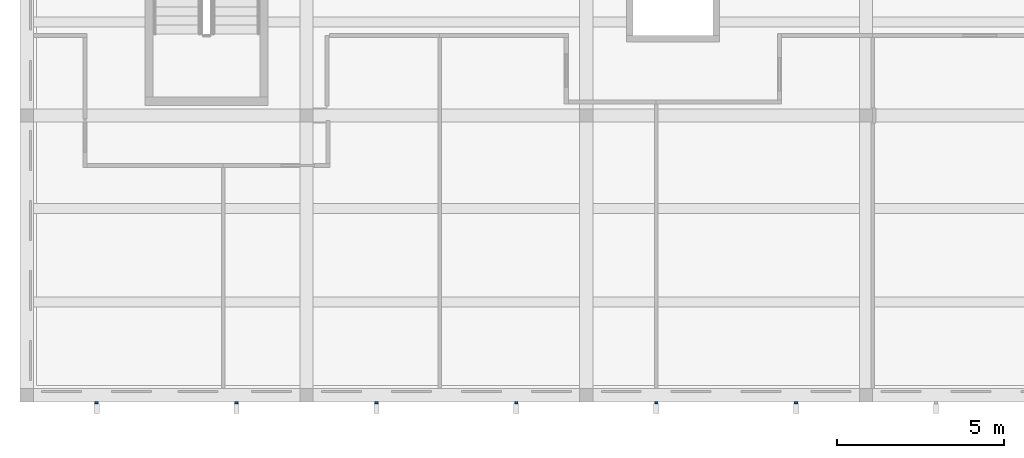
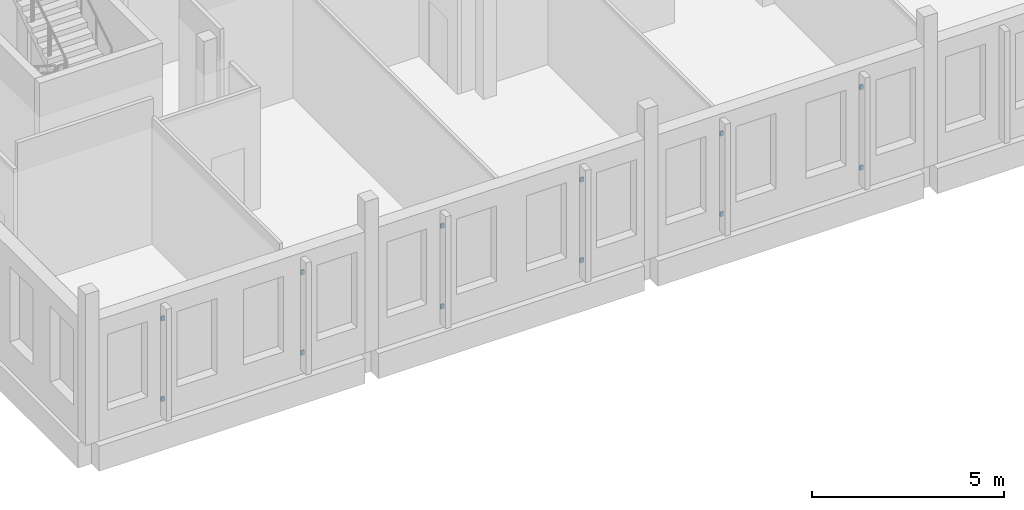
# One storey, part 49 of 79: 12 discrete accessories.
"""IFC4 building model written with IfcOpenShell, lengths in metres."""

from ifc_helpers import new_model, si_unit, direction, frame, origin, origin_2d, place, context, subcontext, project, spatial, rectangle, extrude, material, layer, layer_set, type_object, element, save


model = new_model("IFC4")

# Units and contexts
model_context = context("Model", 3, precision=1e-05, world=origin(), true_north=direction((0.0, 1.0)))
body_context = subcontext(model_context, "Body", "Model", "MODEL_VIEW")
ifc_project = project(units=[si_unit("LENGTHUNIT", "METRE"), si_unit("AREAUNIT", "SQUARE_METRE"), si_unit("VOLUMEUNIT", "CUBIC_METRE"), si_unit("PLANEANGLEUNIT", "RADIAN"), si_unit("MASSUNIT", "GRAM", prefix="KILO")], contexts=[model_context])

# Site, building, storey
site_placement = place(None, origin())
site = spatial("IfcSite", under=ifc_project, at=site_placement, CompositionType="ELEMENT")
building_placement = place(site_placement, origin())
building = spatial("IfcBuilding", under=site, at=building_placement, Name="Larchfold Concert Hall", CompositionType="ELEMENT")
storey_placement = place(building_placement, frame((0.0, 0.0, 14.39990234375)))
storey = spatial("IfcBuildingStorey", under=building, at=storey_placement, Name="L03", CompositionType="ELEMENT", Elevation=14.39990234375)

# Discrete accessories
ifc_material = material(Name="Steel S355 galvanised bracket", Category="steel")
ifc_layer = layer(ifc_material, 0.10009765625)
ifc_layer_set = layer_set([ifc_layer], Name="Steel S355 galvanised bracket")
discrete_accessory_type = type_object("IfcDiscreteAccessoryType", Name="Fin support bracket short", PredefinedType="BRACKET", material=ifc_layer_set)
for number, where, z_axis, x_axis, name in (
    (1, (2.699951171875, 0.375, 0.6298828125), (0.0, 0.0, 1.0), (0.0, -1.0, 0.0), "Fin bracket FN-L03-016-1"),
    (2, (2.699951171875, 0.375, 3.18994140625), (0.0, 0.0, 1.0), (0.0, -1.0, 0.0), "Fin bracket FN-L03-016-2"),
    (3, (6.89990234375, 0.375, 0.6298828125), (0.0, 0.0, 1.0), (0.0, -1.0, 0.0), "Fin bracket FN-L03-017-1"),
    (4, (6.89990234375, 0.375, 3.18994140625), (0.0, 0.0, 1.0), (0.0, -1.0, 0.0), "Fin bracket FN-L03-017-2"),
    (5, (11.10009765625, 0.375, 0.6298828125), (0.0, 0.0, 1.0), (0.0, -1.0, 0.0), "Fin bracket FN-L03-018-1"),
    (6, (11.10009765625, 0.375, 3.18994140625), (0.0, 0.0, 1.0), (0.0, -1.0, 0.0), "Fin bracket FN-L03-018-2"),
    (7, (15.300048828125, 0.375, 0.6298828125), (0.0, 0.0, 1.0), (0.0, -1.0, 0.0), "Fin bracket FN-L03-019-1"),
    (8, (15.300048828125, 0.375, 3.18994140625), (0.0, 0.0, 1.0), (0.0, -1.0, 0.0), "Fin bracket FN-L03-019-2"),
    (9, (19.5, 0.375, 0.6298828125), (0.0, 0.0, 1.0), (0.0, -1.0, 0.0), "Fin bracket FN-L03-020-1"),
    (10, (19.5, 0.375, 3.18994140625), (0.0, 0.0, 1.0), (0.0, -1.0, 0.0), "Fin bracket FN-L03-020-2"),
    (11, (23.699951171875, 0.375, 0.6298828125), (0.0, 0.0, 1.0), (0.0, -1.0, 0.0), "Fin bracket FN-L03-021-1"),
    (12, (23.699951171875, 0.375, 3.18994140625), (0.0, 0.0, 1.0), (0.0, -1.0, 0.0), "Fin bracket FN-L03-021-2"),
):
    element("IfcDiscreteAccessory", number, at=place(storey_placement, frame(where, z_axis=z_axis, x_axis=x_axis)), inside=storey, type_object=discrete_accessory_type, Name=name, PredefinedType="BRACKET", context=body_context, shape_type="SweptSolid", body=[
        extrude(rectangle(XDim=0.050048828125, YDim=0.10009765625, at=origin_2d()), origin(), (0.0, 0.0, 1.0), 0.139892578125),
    ])

save(model, "model.ifc")
